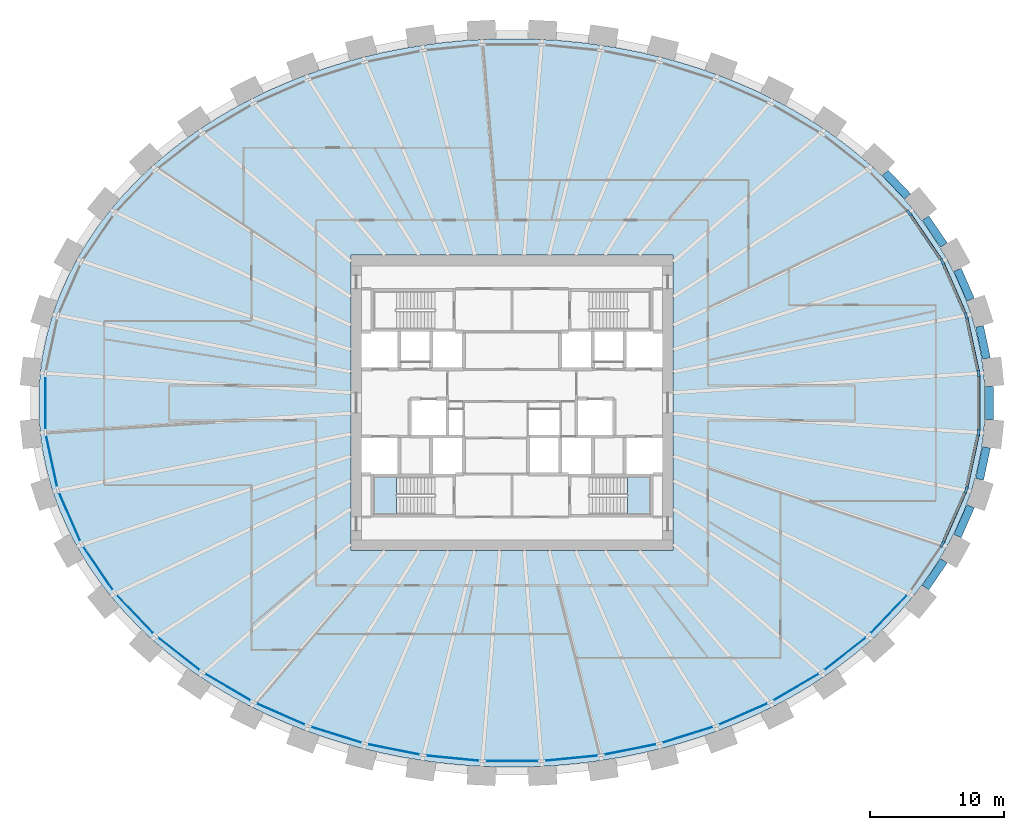
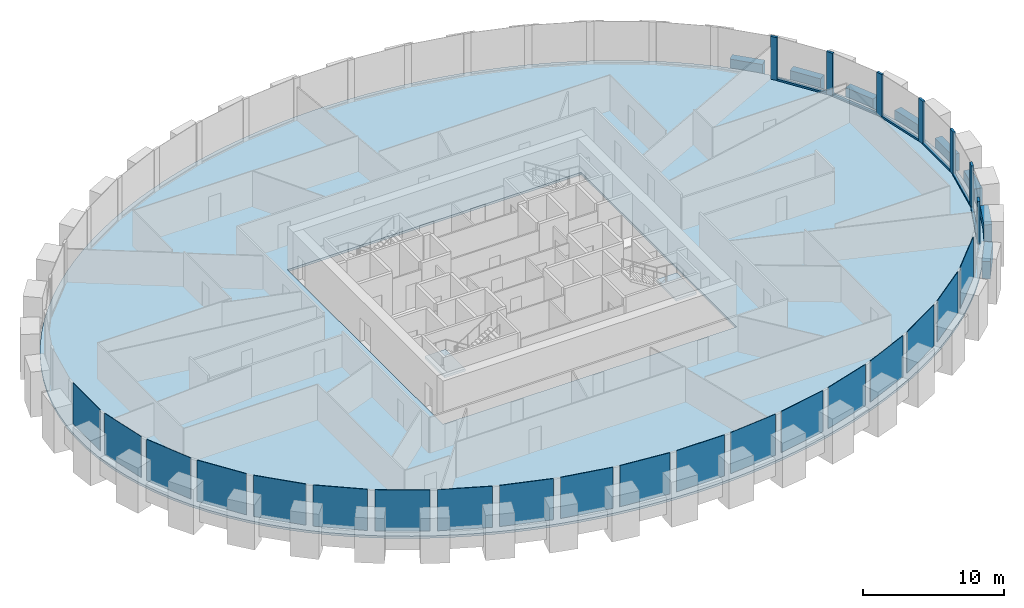
# One storey, part 4 of 11: 19 plates, 13 members, 8 beams, 3 slabs, 3 elements without a shape of their own.
"""IFC4 building model written with IfcOpenShell, lengths in metres."""

from ifc_helpers import new_model, si_unit, direction, frame, origin, origin_2d, place, context, subcontext, project, spatial, polyline, rectangle, outline, extrude, source, transform, mapped, material, layer, layer_set, material_profile, profile_set, type_object, element, aggregate, save


model = new_model("IFC4")

# Units and contexts
model_context = context("Model", 3, precision=1e-05, world=origin(), true_north=direction((0.0, 1.0)))
body_context = subcontext(model_context, "Body", "Model", "MODEL_VIEW")
ifc_project = project(units=[si_unit("LENGTHUNIT", "METRE"), si_unit("AREAUNIT", "SQUARE_METRE"), si_unit("VOLUMEUNIT", "CUBIC_METRE"), si_unit("PLANEANGLEUNIT", "RADIAN"), si_unit("MASSUNIT", "GRAM", prefix="KILO")], contexts=[model_context])

# Site, building, storey
site_placement = place(None, origin())
site = spatial("IfcSite", under=ifc_project, at=site_placement, CompositionType="ELEMENT")
building_placement = place(site_placement, origin())
building = spatial("IfcBuilding", under=site, at=building_placement, Name="Embergate Tower", CompositionType="ELEMENT")
storey_placement = place(building_placement, frame((0.0, 0.0, 203.39990234375)))
storey = spatial("IfcBuildingStorey", under=building, at=storey_placement, Name="L46", CompositionType="ELEMENT", Elevation=203.39990234375)

# Beams
ifc_material_1 = material(Name="Concrete C60", Category="concrete")
ifc_material_profile_1 = material_profile(ifc_material_1, rectangle(XDim=0.60009765625, YDim=1.5, at=origin_2d()), Name="RC 600x1500")
ifc_profile_set_1 = profile_set([ifc_material_profile_1], Name="Concrete C60")
beam_type = type_object("IfcBeamType", Name="Spandrel beam RC 600x1500 C60", PredefinedType="BEAM", material=ifc_profile_set_1)
shared_shape_1 = source(origin(), body_context, "Body", "SweptSolid", [
    extrude(rectangle(XDim=0.60009765625, YDim=1.5, at=origin_2d()), origin(), (0.0, 0.0, 1.0), 2.438720703125),
])
for number, where, z_axis, x_axis, name in (
    (1, (35.320068359375, 3.30908203125, 0.0), (-0.210438320614, 0.977607136439, 0.0), (-0.977607136439, -0.210438320614, 0.0), "SPN-L46-00"),
    (2, (34.806884765625, -5.693115234375, 0.0), (0.210438320614, 0.977607136439, 0.0), (-0.977607136439, 0.210438320614, 0.0), "SPN-L46-42"),
):
    element("IfcBeam", number, at=place(storey_placement, frame(where, z_axis=z_axis, x_axis=x_axis)), inside=storey, type_object=beam_type, Name=name, PredefinedType="BEAM", context=body_context, shape_type="MappedRepresentation", body=[
        mapped(shared_shape_1, transform((0.0, 0.0, 0.0))),
    ])
shared_shape_2 = source(origin(), body_context, "Body", "SweptSolid", [
    extrude(rectangle(XDim=0.60009765625, YDim=1.5, at=origin_2d()), origin(), (0.0, 0.0, 1.0), 2.431884765625),
])
for number, where, z_axis, x_axis, name in (
    (3, (34.14208984375, 7.68505859375, 0.0), (-0.401756025311, 0.915746742351, 0.0), (-0.915746742351, -0.401756025311, 0.0), "SPN-L46-01"),
    (4, (33.1650390625, -9.912109375, 0.0), (0.401756025311, 0.915746742351, 0.0), (-0.915746742351, 0.401756025311, 0.0), "SPN-L46-41"),
):
    element("IfcBeam", number, at=place(storey_placement, frame(where, z_axis=z_axis, x_axis=x_axis)), inside=storey, type_object=beam_type, Name=name, PredefinedType="BEAM", context=body_context, shape_type="MappedRepresentation", body=[
        mapped(shared_shape_2, transform((0.0, 0.0, 0.0))),
    ])
shared_shape_3 = source(origin(), body_context, "Body", "SweptSolid", [
    extrude(rectangle(XDim=0.60009765625, YDim=1.5, at=origin_2d()), origin(), (0.0, 0.0, 1.0), 2.42724609375),
])
for number, where, z_axis, x_axis, name in (
    (5, (32.14892578125, 11.7490234375, 0.0), (-0.562359541569, 0.826892826191, 0.0), (-0.826892826191, -0.562359541569, 0.0), "SPN-L46-02"),
    (6, (30.783935546875, -13.756103515625, 0.0), (0.562359541569, 0.826892826191, 0.0), (-0.826892826191, 0.562359541569, 0.0), "SPN-L46-40"),
):
    element("IfcBeam", number, at=place(storey_placement, frame(where, z_axis=z_axis, x_axis=x_axis)), inside=storey, type_object=beam_type, Name=name, PredefinedType="BEAM", context=body_context, shape_type="MappedRepresentation", body=[
        mapped(shared_shape_3, transform((0.0, 0.0, 0.0))),
    ])
shared_shape_4 = source(origin(), body_context, "Body", "SweptSolid", [
    extrude(rectangle(XDim=0.60009765625, YDim=1.5, at=origin_2d()), origin(), (0.0, 0.0, 1.0), 2.419677734375),
])
beam_1_placement = place(storey_placement, frame((29.448974609375, 15.376953125, 0.0), z_axis=(-0.69015890768, 0.723657848813, 0.0), x_axis=(-0.723657848813, -0.69015890768, 0.0)))
element("IfcBeam", 7, at=beam_1_placement, inside=storey, type_object=beam_type, Name="SPN-L46-03", PredefinedType="BEAM", context=body_context, shape_type="MappedRepresentation", body=[
    mapped(shared_shape_4, transform((0.0, 0.0, 0.0))),
])
shared_shape_5 = source(origin(), body_context, "Body", "SweptSolid", [
    extrude(rectangle(XDim=0.60009765625, YDim=1.5, at=origin_2d()), origin(), (0.0, 0.0, 1.0), 2.43994140625),
])
beam_2_placement = place(storey_placement, frame((35.5419921875, -1.219970703125, 0.0), z_axis=(0.0, 1.0, 0.0), x_axis=(-1.0, 0.0, 0.0)))
element("IfcBeam", 8, at=beam_2_placement, inside=storey, type_object=beam_type, Name="SPN-L46-43", PredefinedType="BEAM", context=body_context, shape_type="MappedRepresentation", body=[
    mapped(shared_shape_5, transform((0.0, 0.0, 0.0))),
])

# Curtain wall, members
ifc_material_2 = material(Name="Aluminium and glass", Category="aluminium")
curtain_wall_type = type_object("IfcCurtainWallType", Name="Recessed office glazing", PredefinedType="NOTDEFINED", material=ifc_material_2)
curtain_wall_placement = place(storey_placement, origin())
curtain_wall = element("IfcCurtainWall", 9, at=curtain_wall_placement, inside=storey, type_object=curtain_wall_type, Name="Recessed office glazing ring", ObjectType="RECESSED OFFICE GLAZING", PredefinedType="USERDEFINED")
ifc_material_3 = material(Name="Aluminium, thermally broken", Category="aluminium")
ifc_material_profile_2 = material_profile(ifc_material_3, rectangle(XDim=0.179931640625, YDim=0.52001953125, at=origin_2d()), Name="AL 520x180")
ifc_profile_set_2 = profile_set([ifc_material_profile_2], Name="Aluminium, thermally broken")
member_type_1 = type_object("IfcMemberType", Name="Office mullion", PredefinedType="MULLION", material=ifc_profile_set_2)
shared_shape_6 = source(origin(), body_context, "Body", "SweptSolid", [
    extrude(rectangle(XDim=0.179931640625, YDim=0.52001953125, at=origin_2d()), origin(), (0.0, 0.0, 1.0), 3.7001953125),
])
member_1_placement = place(storey_placement, frame((34.734619140625, 2.189697265625, 0.0), z_axis=(0.0, 0.0, 1.0), x_axis=(-0.994385139431, -0.105821521816, 0.0)))
member_1 = element("IfcMember", 10, at=member_1_placement, type_object=member_type_1, Name="CW mullion 1", PredefinedType="MULLION", context=body_context, shape_type="MappedRepresentation", body=[
    mapped(shared_shape_6, transform((0.0, 0.0, 0.0))),
])
member_2_placement = place(storey_placement, frame((33.812744140625, 6.473388671875, 0.0), z_axis=(0.0, 0.0, 1.0), x_axis=(-0.95149940886, -0.307650572791, 0.0)))
member_2 = element("IfcMember", 11, at=member_2_placement, type_object=member_type_1, Name="CW mullion 2", PredefinedType="MULLION", context=body_context, shape_type="MappedRepresentation", body=[
    mapped(shared_shape_6, transform((0.0, 0.0, 0.0))),
])
member_3_placement = place(storey_placement, frame((32.050048828125, 10.492431640625, 0.0), z_axis=(0.0, 0.0, 1.0), x_axis=(-0.875006120538, -0.484111855898, 0.0)))
member_3 = element("IfcMember", 12, at=member_3_placement, type_object=member_type_1, Name="CW mullion 3", PredefinedType="MULLION", context=body_context, shape_type="MappedRepresentation", body=[
    mapped(shared_shape_6, transform((0.0, 0.0, 0.0))),
])
member_4_placement = place(storey_placement, frame((29.577392578125, 14.128662109375, 0.0), z_axis=(0.0, 0.0, 1.0), x_axis=(-0.777879145133, -0.628413904658, 0.0)))
member_4 = element("IfcMember", 13, at=member_4_placement, type_object=member_type_1, Name="CW mullion 4", PredefinedType="MULLION", context=body_context, shape_type="MappedRepresentation", body=[
    mapped(shared_shape_6, transform((0.0, 0.0, 0.0))),
])
member_5_placement = place(storey_placement, frame((32.050048828125, -10.492431640625, 0.0), z_axis=(0.0, 0.0, 1.0), x_axis=(-0.875006120538, 0.484111855898, 0.0)))
member_5 = element("IfcMember", 14, at=member_5_placement, type_object=member_type_1, Name="CW mullion 42", PredefinedType="MULLION", context=body_context, shape_type="MappedRepresentation", body=[
    mapped(shared_shape_6, transform((0.0, 0.0, 0.0))),
])
member_6_placement = place(storey_placement, frame((33.812744140625, -6.473388671875, 0.0), z_axis=(0.0, 0.0, 1.0), x_axis=(-0.95149940886, 0.307650572791, 0.0)))
member_6 = element("IfcMember", 15, at=member_6_placement, type_object=member_type_1, Name="CW mullion 43", PredefinedType="MULLION", context=body_context, shape_type="MappedRepresentation", body=[
    mapped(shared_shape_6, transform((0.0, 0.0, 0.0))),
])
member_7_placement = place(storey_placement, frame((34.734619140625, -2.189697265625, 0.0), z_axis=(0.0, 0.0, 1.0), x_axis=(-0.994385139431, 0.105821521816, 0.0)))
member_7 = element("IfcMember", 16, at=member_7_placement, type_object=member_type_1, Name="CW mullion 44", PredefinedType="MULLION", context=body_context, shape_type="MappedRepresentation", body=[
    mapped(shared_shape_6, transform((0.0, 0.0, 0.0))),
])
ifc_material_profile_3 = material_profile(ifc_material_3, rectangle(XDim=0.179931640625, YDim=0.14990234375, at=origin_2d()), Name="AL 150x180")
ifc_profile_set_3 = profile_set([ifc_material_profile_3], Name="Aluminium, thermally broken")
member_type_2 = type_object("IfcMemberType", Name="Office sill transom", PredefinedType="USERDEFINED", material=ifc_profile_set_3)
shared_shape_7 = source(origin(), body_context, "Body", "SweptSolid", [
    extrude(rectangle(XDim=0.179931640625, YDim=0.14990234375, at=origin_2d()), origin(), (0.0, 0.0, 1.0), 3.861572265625),
])
member_8_placement = place(storey_placement, frame((34.679931640625, 2.44384765625, 0.0751953125), z_axis=(-0.210405488485, 0.97761420326, 0.0), x_axis=(-0.97761420326, -0.210405488485, 0.0)))
member_8 = element("IfcMember", 17, at=member_8_placement, type_object=member_type_2, Name="CW transom 1.1", ObjectType="TRANSOM", PredefinedType="USERDEFINED", context=body_context, shape_type="MappedRepresentation", body=[
    mapped(shared_shape_7, transform((0.0, 0.0, 0.0))),
])
member_9_placement = place(storey_placement, frame((33.867431640625, -6.218994140625, 0.0751953125), z_axis=(0.210405488485, 0.97761420326, 0.0), x_axis=(-0.97761420326, 0.210405488485, 0.0)))
member_9 = element("IfcMember", 18, at=member_9_placement, type_object=member_type_2, Name="CW transom 43.1", ObjectType="TRANSOM", PredefinedType="USERDEFINED", context=body_context, shape_type="MappedRepresentation", body=[
    mapped(shared_shape_7, transform((0.0, 0.0, 0.0))),
])
shared_shape_8 = source(origin(), body_context, "Body", "SweptSolid", [
    extrude(rectangle(XDim=0.179931640625, YDim=0.14990234375, at=origin_2d()), origin(), (0.0, 0.0, 1.0), 3.86865234375),
])
member_10_placement = place(storey_placement, frame((33.708251953125, 6.71142578125, 0.0751953125), z_axis=(-0.401613211287, 0.915809384381, 0.0), x_axis=(-0.915809384381, -0.401613211287, 0.0)))
member_10 = element("IfcMember", 19, at=member_10_placement, type_object=member_type_2, Name="CW transom 2.1", ObjectType="TRANSOM", PredefinedType="USERDEFINED", context=body_context, shape_type="MappedRepresentation", body=[
    mapped(shared_shape_8, transform((0.0, 0.0, 0.0))),
])
member_11_placement = place(storey_placement, frame((32.154541015625, -10.25439453125, 0.0751953125), z_axis=(0.401613211287, 0.915809384381, 0.0), x_axis=(-0.915809384381, 0.401613211287, 0.0)))
member_11 = element("IfcMember", 20, at=member_11_placement, type_object=member_type_2, Name="CW transom 42.1", ObjectType="TRANSOM", PredefinedType="USERDEFINED", context=body_context, shape_type="MappedRepresentation", body=[
    mapped(shared_shape_8, transform((0.0, 0.0, 0.0))),
])
shared_shape_9 = source(origin(), body_context, "Body", "SweptSolid", [
    extrude(rectangle(XDim=0.179931640625, YDim=0.14990234375, at=origin_2d()), origin(), (0.0, 0.0, 1.0), 3.87744140625),
])
member_12_placement = place(storey_placement, frame((31.90380859375, 10.70751953125, 0.0751953125), z_axis=(-0.562334132223, 0.826910106201, 0.0), x_axis=(-0.826910106201, -0.562334132223, 0.0)))
member_12 = element("IfcMember", 21, at=member_12_placement, type_object=member_type_2, Name="CW transom 3.1", ObjectType="TRANSOM", PredefinedType="USERDEFINED", context=body_context, shape_type="MappedRepresentation", body=[
    mapped(shared_shape_9, transform((0.0, 0.0, 0.0))),
])
shared_shape_10 = source(origin(), body_context, "Body", "SweptSolid", [
    extrude(rectangle(XDim=0.179931640625, YDim=0.14990234375, at=origin_2d()), origin(), (0.0, 0.0, 1.0), 3.859375),
])
member_13_placement = place(storey_placement, frame((34.734619140625, -1.9296875, 0.0751953125), z_axis=(0.0, 1.0, 0.0), x_axis=(-1.0, 0.0, 0.0)))
member_13 = element("IfcMember", 22, at=member_13_placement, type_object=member_type_2, Name="CW transom 44.1", ObjectType="TRANSOM", PredefinedType="USERDEFINED", context=body_context, shape_type="MappedRepresentation", body=[
    mapped(shared_shape_10, transform((0.0, 0.0, 0.0))),
])

# Slab
ifc_material_4 = material(Name="Concrete C40", Category="concrete")
ifc_layer_1 = layer(ifc_material_4, 0.199951171875)
ifc_layer_set_1 = layer_set([ifc_layer_1], Name="Concrete C40")
slab_type_1 = type_object("IfcSlabType", Name="Composite floor slab C40 200", PredefinedType="FLOOR", material=ifc_layer_set_1)
shared_shape_11 = source(origin(), body_context, "Body", "SweptSolid", [
    extrude(outline(polyline([(0.0, 0.0), (1.490234375, 0.0), (2.980224609375, 0.049072265625), (4.47021484375, 0.14599609375), (5.953125, 0.2919921875), (7.427001953125, 0.486083984375), (8.904052734375, 0.72998046875), (10.365234375, 1.02392578125), (11.80908203125, 1.364990234375), (13.256103515625, 1.760009765625), (14.67919921875, 2.203125), (16.0751953125, 2.693115234375), (17.47412109375, 3.242919921875), (18.840087890625, 3.840087890625), (20.169189453125, 4.48388671875), (21.498046875, 5.193115234375), (22.783203125, 5.947998046875), (24.02099609375, 6.748046875), (25.251220703125, 7.62109375), (26.426025390625, 8.5380859375), (27.543212890625, 9.4970703125), (28.63916015625, 10.534912109375), (29.667236328125, 11.613037109375), (30.625, 12.72900390625), (31.544189453125, 13.926025390625), (32.381103515625, 15.157958984375), (33.13623046875, 16.422119140625), (33.8271484375, 17.759033203125), (34.425048828125, 19.123046875), (34.92919921875, 20.510009765625), (35.34423828125, 21.949951171875), (35.658203125, 23.406005859375), (35.8671875, 24.873046875), (35.97412109375, 26.360107421875), (35.97412109375, 27.847900390625), (35.8671875, 29.3349609375), (35.658203125, 30.802001953125), (35.34423828125, 32.258056640625), (34.92919921875, 33.697998046875), (34.425048828125, 35.0849609375), (33.8271484375, 36.448974609375), (33.13623046875, 37.785888671875), (32.381103515625, 39.050048828125), (31.544189453125, 40.281982421875), (30.625, 41.47900390625), (29.667236328125, 42.594970703125), (28.63916015625, 43.673095703125), (27.543212890625, 44.7109375), (26.426025390625, 45.669921875), (25.251220703125, 46.5869140625), (24.02099609375, 47.4599609375), (22.783203125, 48.260009765625), (21.498046875, 49.014892578125), (20.169189453125, 49.72412109375), (18.840087890625, 50.367919921875), (17.47412109375, 50.965087890625), (16.0751953125, 51.514892578125), (14.67919921875, 52.0048828125), (13.256103515625, 52.447998046875), (11.80908203125, 52.843017578125), (10.365234375, 53.18408203125), (8.904052734375, 53.47802734375), (7.427001953125, 53.721923828125), (5.953125, 53.916015625), (4.47021484375, 54.06201171875), (2.980224609375, 54.158935546875), (1.490234375, 54.2080078125), (0.0, 54.2080078125), (-1.489990234375, 54.158935546875), (-2.97998046875, 54.06201171875), (-4.462890625, 53.916015625), (-5.936767578125, 53.721923828125), (-7.413818359375, 53.47802734375), (-8.875, 53.18408203125), (-10.31884765625, 52.843017578125), (-11.765869140625, 52.447998046875), (-13.18896484375, 52.0048828125), (-14.5849609375, 51.514892578125), (-15.98388671875, 50.965087890625), (-17.349853515625, 50.367919921875), (-18.678955078125, 49.72412109375), (-20.0078125, 49.014892578125), (-21.29296875, 48.260009765625), (-22.53076171875, 47.4599609375), (-23.760986328125, 46.5869140625), (-24.935791015625, 45.669921875), (-26.052978515625, 44.7109375), (-27.14892578125, 43.673095703125), (-28.177001953125, 42.594970703125), (-29.134765625, 41.47900390625), (-30.053955078125, 40.281982421875), (-30.890869140625, 39.050048828125), (-31.64599609375, 37.785888671875), (-32.3369140625, 36.448974609375), (-32.934814453125, 35.0849609375), (-33.43896484375, 33.697998046875), (-33.85400390625, 32.258056640625), (-34.16796875, 30.802001953125), (-34.376953125, 29.3349609375), (-34.48388671875, 27.847900390625), (-34.48388671875, 26.360107421875), (-34.376953125, 24.873046875), (-34.16796875, 23.406005859375), (-33.85400390625, 21.949951171875), (-33.43896484375, 20.510009765625), (-32.934814453125, 19.123046875), (-32.3369140625, 17.759033203125), (-31.64599609375, 16.422119140625), (-30.890869140625, 15.157958984375), (-30.053955078125, 13.926025390625), (-29.134765625, 12.72900390625), (-28.177001953125, 11.613037109375), (-27.14892578125, 10.534912109375), (-26.052978515625, 9.4970703125), (-24.935791015625, 8.5380859375), (-23.760986328125, 7.62109375), (-22.53076171875, 6.748046875), (-21.29296875, 5.947998046875), (-20.0078125, 5.193115234375), (-18.678955078125, 4.48388671875), (-17.349853515625, 3.840087890625), (-15.98388671875, 3.242919921875), (-14.5849609375, 2.693115234375), (-13.18896484375, 2.203125), (-11.765869140625, 1.760009765625), (-10.31884765625, 1.364990234375), (-8.875, 1.02392578125), (-7.413818359375, 0.72998046875), (-5.936767578125, 0.486083984375), (-4.462890625, 0.2919921875), (-2.97998046875, 0.14599609375), (-1.489990234375, 0.049072265625), (0.0, 0.0)]), holes=[polyline([(-11.2548828125, 16.10400390625), (-11.2548828125, 38.10400390625), (12.7451171875, 38.10400390625), (12.7451171875, 16.10400390625), (-11.2548828125, 16.10400390625)])]), origin(), (0.0, 0.0, 1.0), 0.199951171875),
])
slab_1_placement = place(storey_placement, frame((-0.7451171875, -27.10400390625, -0.199951171875)))
element("IfcSlab", 23, at=slab_1_placement, inside=storey, type_object=slab_type_1, Name="SLB-L46-00", PredefinedType="FLOOR", context=body_context, shape_type="MappedRepresentation", body=[
    mapped(shared_shape_11, transform((0.0, 0.0, 0.0))),
])

# Plate
ifc_material_5 = material(Name="Triple glazing, low-emissivity coating", Category="glass")
ifc_layer_2 = layer(ifc_material_5, 0.035888671875)
ifc_layer_set_2 = layer_set([ifc_layer_2], Name="Triple glazing, low-emissivity coating")
plate_type = type_object("IfcPlateType", Name="Office glazing unit", PredefinedType="CURTAIN_PANEL", material=ifc_layer_set_2)
shared_shape_12 = source(origin(), body_context, "Body", "SweptSolid", [
    extrude(rectangle(XDim=3.86181640625, YDim=0.035888671875, at=origin_2d()), origin(), (0.0, 0.0, 1.0), 3.550048828125),
])
plate_1_placement = place(storey_placement, frame((-34.273681640625, -4.331298828125, 0.14990234375), z_axis=(0.0, 0.0, 1.0), x_axis=(0.21039327239, -0.97761683237, 0.0)))
plate_1 = element("IfcPlate", 24, at=plate_1_placement, type_object=plate_type, Name="CW panel 23.1", PredefinedType="CURTAIN_PANEL", context=body_context, shape_type="MappedRepresentation", body=[
    mapped(shared_shape_12, transform((0.0, 0.0, 0.0))),
])

shared_shape_13 = source(origin(), body_context, "Body", "SweptSolid", [
    extrude(rectangle(XDim=3.86865234375, YDim=0.035888671875, at=origin_2d()), origin(), (0.0, 0.0, 1.0), 3.550048828125),
])
plate_2_placement = place(storey_placement, frame((-32.931396484375, -8.48291015625, 0.14990234375), z_axis=(0.0, 0.0, 1.0), x_axis=(0.401644109346, -0.915795833921, 0.0)))
plate_2 = element("IfcPlate", 25, at=plate_2_placement, type_object=plate_type, Name="CW panel 24.1", PredefinedType="CURTAIN_PANEL", context=body_context, shape_type="MappedRepresentation", body=[
    mapped(shared_shape_13, transform((0.0, 0.0, 0.0))),
])

shared_shape_14 = source(origin(), body_context, "Body", "SweptSolid", [
    extrude(rectangle(XDim=3.87744140625, YDim=0.035888671875, at=origin_2d()), origin(), (0.0, 0.0, 1.0), 3.550048828125),
])
plate_3_placement = place(storey_placement, frame((-30.813720703125, -12.310546875, 0.14990234375), z_axis=(0.0, 0.0, 1.0), x_axis=(0.562331639324, -0.826911801473, 0.0)))
plate_3 = element("IfcPlate", 26, at=plate_3_placement, type_object=plate_type, Name="CW panel 25.1", PredefinedType="CURTAIN_PANEL", context=body_context, shape_type="MappedRepresentation", body=[
    mapped(shared_shape_14, transform((0.0, 0.0, 0.0))),
])

shared_shape_15 = source(origin(), body_context, "Body", "SweptSolid", [
    extrude(rectangle(XDim=3.885986328125, YDim=0.035888671875, at=origin_2d()), origin(), (0.0, 0.0, 1.0), 3.550048828125),
])
plate_4_placement = place(storey_placement, frame((-28.056884765625, -15.722900390625, 0.14990234375), z_axis=(0.0, 0.0, 1.0), x_axis=(0.690123679893, -0.723691444229, 0.0)))
plate_4 = element("IfcPlate", 27, at=plate_4_placement, type_object=plate_type, Name="CW panel 26.1", PredefinedType="CURTAIN_PANEL", context=body_context, shape_type="MappedRepresentation", body=[
    mapped(shared_shape_15, transform((0.0, 0.0, 0.0))),
])

plate_5_placement = place(storey_placement, frame((28.056884765625, -15.722900390625, 0.14990234375), z_axis=(0.0, 0.0, 1.0), x_axis=(0.690123679893, 0.723691444229, 0.0)))
plate_5 = element("IfcPlate", 28, at=plate_5_placement, type_object=plate_type, Name="CW panel 40.1", PredefinedType="CURTAIN_PANEL", context=body_context, shape_type="MappedRepresentation", body=[
    mapped(shared_shape_15, transform((0.0, 0.0, 0.0))),
])

shared_shape_16 = source(origin(), body_context, "Body", "SweptSolid", [
    extrude(rectangle(XDim=3.893310546875, YDim=0.035888671875, at=origin_2d()), origin(), (0.0, 0.0, 1.0), 3.550048828125),
])
plate_6_placement = place(storey_placement, frame((-24.797119140625, -18.675048828125, 0.14990234375), z_axis=(0.0, 0.0, 1.0), x_axis=(0.788311528453, -0.615276307123, 0.0)))
plate_6 = element("IfcPlate", 29, at=plate_6_placement, type_object=plate_type, Name="CW panel 27.1", PredefinedType="CURTAIN_PANEL", context=body_context, shape_type="MappedRepresentation", body=[
    mapped(shared_shape_16, transform((0.0, 0.0, 0.0))),
])

plate_7_placement = place(storey_placement, frame((24.797119140625, -18.675048828125, 0.14990234375), z_axis=(0.0, 0.0, 1.0), x_axis=(0.788311528453, 0.615276307123, 0.0)))
plate_7 = element("IfcPlate", 30, at=plate_7_placement, type_object=plate_type, Name="CW panel 39.1", PredefinedType="CURTAIN_PANEL", context=body_context, shape_type="MappedRepresentation", body=[
    mapped(shared_shape_16, transform((0.0, 0.0, 0.0))),
])

shared_shape_17 = source(origin(), body_context, "Body", "SweptSolid", [
    extrude(rectangle(XDim=3.8994140625, YDim=0.035888671875, at=origin_2d()), origin(), (0.0, 0.0, 1.0), 3.550048828125),
])
plate_8_placement = place(storey_placement, frame((-21.152587890625, -21.152587890625, 0.14990234375), z_axis=(0.0, 0.0, 1.0), x_axis=(0.862046091215, -0.506829889234, 0.0)))
plate_8 = element("IfcPlate", 31, at=plate_8_placement, type_object=plate_type, Name="CW panel 28.1", PredefinedType="CURTAIN_PANEL", context=body_context, shape_type="MappedRepresentation", body=[
    mapped(shared_shape_17, transform((0.0, 0.0, 0.0))),
])

plate_9_placement = place(storey_placement, frame((21.152587890625, -21.152587890625, 0.14990234375), z_axis=(0.0, 0.0, 1.0), x_axis=(0.862046091215, 0.506829889234, 0.0)))
plate_9 = element("IfcPlate", 32, at=plate_9_placement, type_object=plate_type, Name="CW panel 38.1", PredefinedType="CURTAIN_PANEL", context=body_context, shape_type="MappedRepresentation", body=[
    mapped(shared_shape_17, transform((0.0, 0.0, 0.0))),
])

shared_shape_18 = source(origin(), body_context, "Body", "SweptSolid", [
    extrude(rectangle(XDim=3.90380859375, YDim=0.035888671875, at=origin_2d()), origin(), (0.0, 0.0, 1.0), 3.550048828125),
])
plate_10_placement = place(storey_placement, frame((-17.22119140625, -23.158935546875, 0.14990234375), z_axis=(0.0, 0.0, 1.0), x_axis=(0.91623131695, -0.400649689679, 0.0)))
plate_10 = element("IfcPlate", 33, at=plate_10_placement, type_object=plate_type, Name="CW panel 29.1", PredefinedType="CURTAIN_PANEL", context=body_context, shape_type="MappedRepresentation", body=[
    mapped(shared_shape_18, transform((0.0, 0.0, 0.0))),
])

plate_11_placement = place(storey_placement, frame((17.22119140625, -23.158935546875, 0.14990234375), z_axis=(0.0, 0.0, 1.0), x_axis=(0.91623131695, 0.400649689679, 0.0)))
plate_11 = element("IfcPlate", 34, at=plate_11_placement, type_object=plate_type, Name="CW panel 37.1", PredefinedType="CURTAIN_PANEL", context=body_context, shape_type="MappedRepresentation", body=[
    mapped(shared_shape_18, transform((0.0, 0.0, 0.0))),
])

shared_shape_19 = source(origin(), body_context, "Body", "SweptSolid", [
    extrude(rectangle(XDim=3.906982421875, YDim=0.035888671875, at=origin_2d()), origin(), (0.0, 0.0, 1.0), 3.550048828125),
])
plate_12_placement = place(storey_placement, frame((-13.0810546875, -24.703369140625, 0.14990234375), z_axis=(0.0, 0.0, 1.0), x_axis=(0.954769622373, -0.297346545624, 0.0)))
plate_12 = element("IfcPlate", 35, at=plate_12_placement, type_object=plate_type, Name="CW panel 30.1", PredefinedType="CURTAIN_PANEL", context=body_context, shape_type="MappedRepresentation", body=[
    mapped(shared_shape_19, transform((0.0, 0.0, 0.0))),
])

plate_13_placement = place(storey_placement, frame((13.0810546875, -24.703369140625, 0.14990234375), z_axis=(0.0, 0.0, 1.0), x_axis=(0.954769622373, 0.297346545624, 0.0)))
plate_13 = element("IfcPlate", 36, at=plate_13_placement, type_object=plate_type, Name="CW panel 36.1", PredefinedType="CURTAIN_PANEL", context=body_context, shape_type="MappedRepresentation", body=[
    mapped(shared_shape_19, transform((0.0, 0.0, 0.0))),
])

shared_shape_20 = source(origin(), body_context, "Body", "SweptSolid", [
    extrude(rectangle(XDim=3.9091796875, YDim=0.035888671875, at=origin_2d()), origin(), (0.0, 0.0, 1.0), 3.550048828125),
])
plate_14_placement = place(storey_placement, frame((-8.796142578125, -25.797119140625, 0.14990234375), z_axis=(0.0, 0.0, 1.0), x_axis=(0.980474534584, -0.196646095898, 0.0)))
plate_14 = element("IfcPlate", 37, at=plate_14_placement, type_object=plate_type, Name="CW panel 31.1", PredefinedType="CURTAIN_PANEL", context=body_context, shape_type="MappedRepresentation", body=[
    mapped(shared_shape_20, transform((0.0, 0.0, 0.0))),
])

plate_15_placement = place(storey_placement, frame((8.796142578125, -25.797119140625, 0.14990234375), z_axis=(0.0, 0.0, 1.0), x_axis=(0.980474534584, 0.196646095898, 0.0)))
plate_15 = element("IfcPlate", 38, at=plate_15_placement, type_object=plate_type, Name="CW panel 35.1", PredefinedType="CURTAIN_PANEL", context=body_context, shape_type="MappedRepresentation", body=[
    mapped(shared_shape_20, transform((0.0, 0.0, 0.0))),
])

shared_shape_21 = source(origin(), body_context, "Body", "SweptSolid", [
    extrude(rectangle(XDim=3.91064453125, YDim=0.035888671875, at=origin_2d()), origin(), (0.0, 0.0, 1.0), 3.550048828125),
])
plate_16_placement = place(storey_placement, frame((-4.420166015625, -26.44921875, 0.14990234375), z_axis=(0.0, 0.0, 1.0), x_axis=(0.995202843292, -0.097833024602, 0.0)))
plate_16 = element("IfcPlate", 39, at=plate_16_placement, type_object=plate_type, Name="CW panel 32.1", PredefinedType="CURTAIN_PANEL", context=body_context, shape_type="MappedRepresentation", body=[
    mapped(shared_shape_21, transform((0.0, 0.0, 0.0))),
])

plate_17_placement = place(storey_placement, frame((4.420166015625, -26.44921875, 0.14990234375), z_axis=(0.0, 0.0, 1.0), x_axis=(0.995202843292, 0.097833024602, 0.0)))
plate_17 = element("IfcPlate", 40, at=plate_17_placement, type_object=plate_type, Name="CW panel 34.1", PredefinedType="CURTAIN_PANEL", context=body_context, shape_type="MappedRepresentation", body=[
    mapped(shared_shape_21, transform((0.0, 0.0, 0.0))),
])

shared_shape_22 = source(origin(), body_context, "Body", "SweptSolid", [
    extrude(rectangle(XDim=3.910888671875, YDim=0.035888671875, at=origin_2d()), origin(), (0.0, 0.0, 1.0), 3.550048828125),
])
plate_18_placement = place(storey_placement, frame((0.0, -26.666015625, 0.14990234375), z_axis=(0.0, 0.0, 1.0), x_axis=(1.0, 0.0, 0.0)))
plate_18 = element("IfcPlate", 41, at=plate_18_placement, type_object=plate_type, Name="CW panel 33.1", PredefinedType="CURTAIN_PANEL", context=body_context, shape_type="MappedRepresentation", body=[
    mapped(shared_shape_22, transform((0.0, 0.0, 0.0))),
])

shared_shape_23 = source(origin(), body_context, "Body", "SweptSolid", [
    extrude(rectangle(XDim=3.859130859375, YDim=0.035888671875, at=origin_2d()), origin(), (0.0, 0.0, 1.0), 3.550048828125),
])
plate_19_placement = place(storey_placement, frame((-34.734619140625, 0.0, 0.14990234375), z_axis=(0.0, 0.0, 1.0), x_axis=(0.0, -1.0, 0.0)))
plate_19 = element("IfcPlate", 42, at=plate_19_placement, type_object=plate_type, Name="CW panel 22.1", PredefinedType="CURTAIN_PANEL", context=body_context, shape_type="MappedRepresentation", body=[
    mapped(shared_shape_23, transform((0.0, 0.0, 0.0))),
])

aggregate(curtain_wall, [member_1, member_2, member_3, member_4, member_5, member_6, member_7, member_8, member_10, member_12, plate_19, plate_1, plate_2, plate_3, plate_4, plate_6, plate_8, plate_10, plate_12, plate_14, plate_16, plate_18, plate_17, plate_15, plate_13, plate_11, plate_9, plate_7, plate_5, member_11, member_9, member_13])

# Stair, slab
ifc_material_6 = material(Name="Exit stair")
stair_type = type_object("IfcStairType", Name="Exit stair", PredefinedType="HALF_TURN_STAIR", material=ifc_material_6)
stair_1_placement = place(storey_placement, origin())
stair_1 = element("IfcStair", 43, at=stair_1_placement, inside=storey, type_object=stair_type, Name="L46 Exit stair 3", PredefinedType="HALF_TURN_STAIR")
ifc_layer_3 = layer(ifc_material_4, 0.199951171875)
ifc_layer_set_3 = layer_set([ifc_layer_3], Name="Concrete C40")
slab_type_2 = type_object("IfcSlabType", Name="Stair landing reinforced concrete", PredefinedType="LANDING", material=ifc_layer_set_3)
shared_shape_24 = source(origin(), body_context, "Body", "SweptSolid", [
    extrude(outline(polyline([(0.0, 0.0), (1.68994140625, 0.0), (1.68994140625, 2.800048828125), (0.0, 2.800048828125), (0.0, 0.0)])), origin(), (0.0, 0.0, 1.0), 0.2001953125),
])
slab_2_placement = place(storey_placement, frame((-10.300048828125, -8.300048828125, 1.75)))
slab_2 = element("IfcSlab", 44, at=slab_2_placement, type_object=slab_type_2, Name="ST3 landing 1", PredefinedType="LANDING", context=body_context, shape_type="MappedRepresentation", body=[
    mapped(shared_shape_24, transform((0.0, 0.0, 0.0))),
])
aggregate(stair_1, [slab_2])

stair_2_placement = place(storey_placement, origin())
stair_2 = element("IfcStair", 45, at=stair_2_placement, inside=storey, type_object=stair_type, Name="L46 Exit stair 4", PredefinedType="HALF_TURN_STAIR")
slab_3_placement = place(storey_placement, frame((8.610107421875, -8.300048828125, 1.75)))
slab_3 = element("IfcSlab", 46, at=slab_3_placement, type_object=slab_type_2, Name="ST4 landing 1", PredefinedType="LANDING", context=body_context, shape_type="MappedRepresentation", body=[
    mapped(shared_shape_24, transform((0.0, 0.0, 0.0))),
])
aggregate(stair_2, [slab_3])

save(model, "model.ifc")
